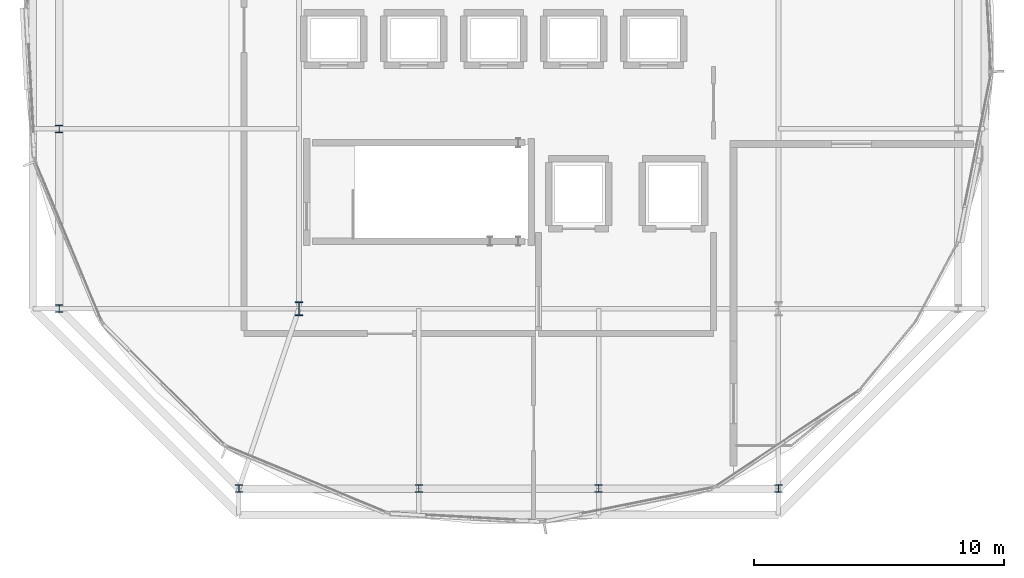
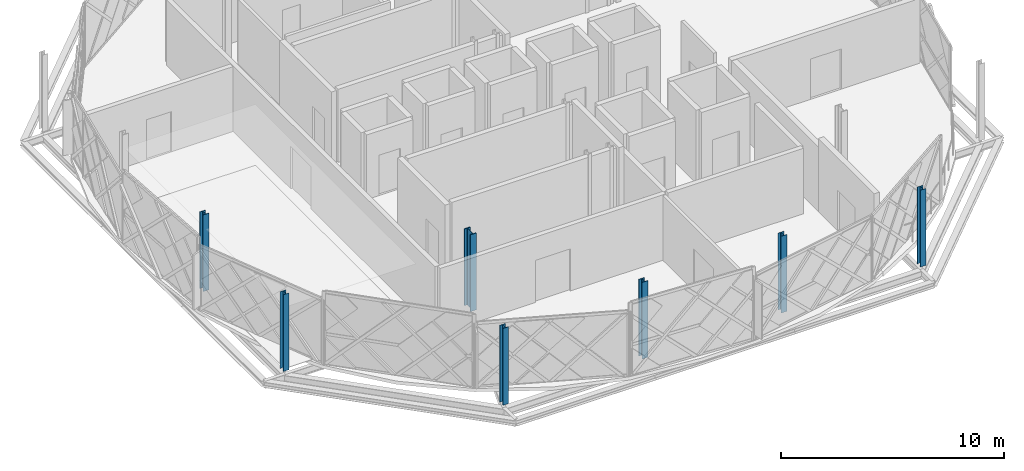
# One storey, part 1 of 15: 7 columns.
"""IFC4 building model written with IfcOpenShell, lengths in metres."""

from ifc_helpers import new_model, si_unit, direction, frame, origin, origin_2d, place, context, subcontext, project, spatial, i_section, extrude, material, material_profile, profile_set, type_object, element, save


model = new_model("IFC4")

# Units and contexts
model_context = context("Model", 3, precision=1e-05, world=origin(), true_north=direction((0.0, 1.0)))
body_context = subcontext(model_context, "Body", "Model", "MODEL_VIEW")
ifc_project = project(units=[si_unit("LENGTHUNIT", "METRE"), si_unit("AREAUNIT", "SQUARE_METRE"), si_unit("VOLUMEUNIT", "CUBIC_METRE"), si_unit("PLANEANGLEUNIT", "RADIAN"), si_unit("MASSUNIT", "GRAM", prefix="KILO")], contexts=[model_context])

# Site, building, storey
site_placement = place(None, origin())
site = spatial("IfcSite", under=ifc_project, at=site_placement, CompositionType="ELEMENT")
building_placement = place(site_placement, origin())
building = spatial("IfcBuilding", under=site, at=building_placement, Name="Zevrakil Square Congress Hotel", CompositionType="ELEMENT")
storey_placement = place(building_placement, frame((0.0, 0.0, 41.89990234375)))
storey = spatial("IfcBuildingStorey", under=building, at=storey_placement, Name="L12", CompositionType="ELEMENT", Elevation=41.89990234375)

# Columns
ifc_material_1 = material(Name="Steel S355", Category="steel")
ifc_material_profile_1 = material_profile(ifc_material_1, i_section(OverallWidth=0.300048828125, OverallDepth=0.300048828125, WebThickness=0.010986328125, FlangeThickness=0.01904296875, FilletRadius=0.027099609375, at=origin_2d()), Name="HEB 300")
ifc_profile_set_1 = profile_set([ifc_material_profile_1], Name="Steel S355")
column_type_1 = type_object("IfcColumnType", Name="COL-HEB300", PredefinedType="COLUMN", material=ifc_profile_set_1)
for number, where, z_axis, x_axis, name in (
    (1, (134.39990234375, 9.60009765625, 0.0), (0.0, 0.0, 1.0), (1.0, 0.0, 0.0), "L12 drum column DC01"),
    (2, (141.60009765625, 9.60009765625, 0.0), (0.0, 0.0, 1.0), (1.0, 0.0, 0.0), "L12 drum column DC02"),
    (3, (148.800048828125, 9.60009765625, 0.0), (0.0, 0.0, 1.0), (1.0, 0.0, 0.0), "L12 drum column DC03"),
    (4, (156.0, 9.60009765625, 0.0), (0.0, 0.0, 1.0), (1.0, 0.0, 0.0), "L12 drum column DC04"),
    (5, (127.199951171875, 24.0, 0.0), (0.0, 0.0, 1.0), (1.0, 0.0, 0.0), "L12 drum column DC15"),
    (6, (127.199951171875, 16.800048828125, 0.0), (0.0, 0.0, 1.0), (1.0, 0.0, 0.0), "L12 drum column DC16"),
):
    element("IfcColumn", number, at=place(storey_placement, frame(where, z_axis=z_axis, x_axis=x_axis)), inside=storey, type_object=column_type_1, Name=name, PredefinedType="COLUMN", context=body_context, shape_type="SweptSolid", body=[
        extrude(i_section(OverallWidth=0.300048828125, OverallDepth=0.300048828125, WebThickness=0.010986328125, FlangeThickness=0.01904296875, FilletRadius=0.027099609375, at=origin_2d()), origin(), (0.0, 0.0, 1.0), 4.2001953125),
    ])
ifc_material_2 = material(Name="Steel S355", Category="steel")
ifc_material_profile_2 = material_profile(ifc_material_2, i_section(OverallWidth=0.305908203125, OverallDepth=0.572021484375, WebThickness=0.02099609375, FlangeThickness=0.0400390625, FilletRadius=0.027099609375, at=origin_2d()), Name="HEM 550")
ifc_profile_set_2 = profile_set([ifc_material_profile_2], Name="Steel S355")
column_type_2 = type_object("IfcColumnType", Name="COL-HEM550", PredefinedType="COLUMN", material=ifc_profile_set_2)
column_placement = place(storey_placement, frame((136.800048828125, 16.800048828125, 0.0), z_axis=(0.0, 0.0, 1.0), x_axis=(1.0, 0.0, 0.0)))
element("IfcColumn", 7, at=column_placement, inside=storey, type_object=column_type_2, Name="L12 column C-206", PredefinedType="COLUMN", context=body_context, shape_type="SweptSolid", body=[
    extrude(i_section(OverallWidth=0.305908203125, OverallDepth=0.572021484375, WebThickness=0.02099609375, FlangeThickness=0.0400390625, FilletRadius=0.027099609375, at=origin_2d()), origin(), (0.0, 0.0, 1.0), 4.2001953125),
])

save(model, "model.ifc")
